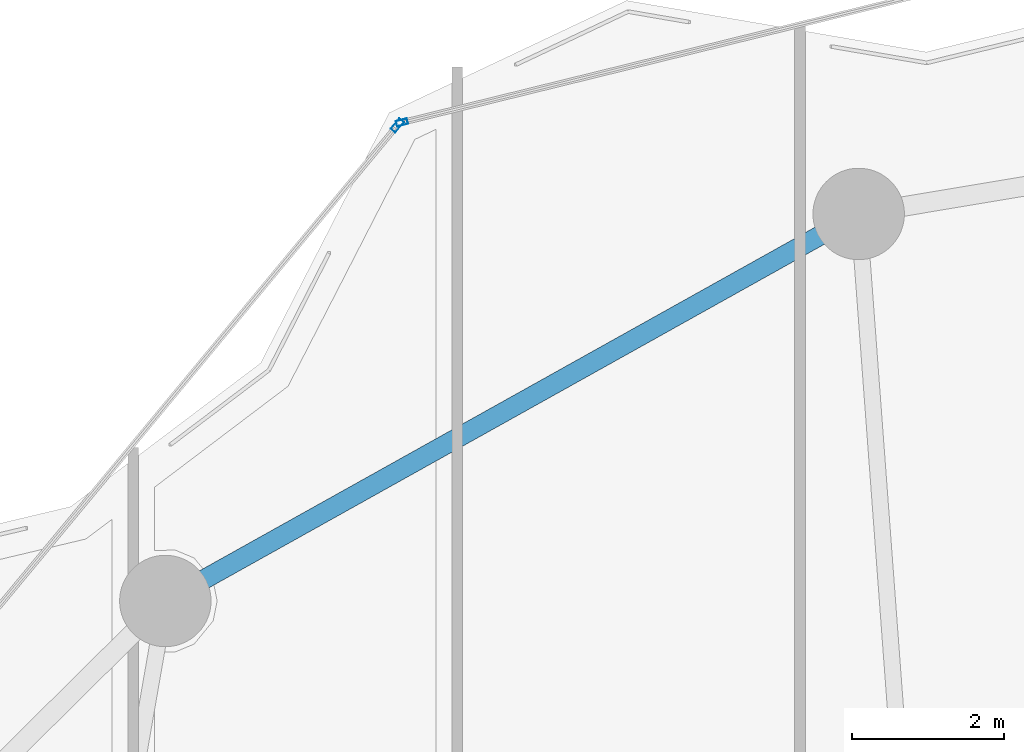
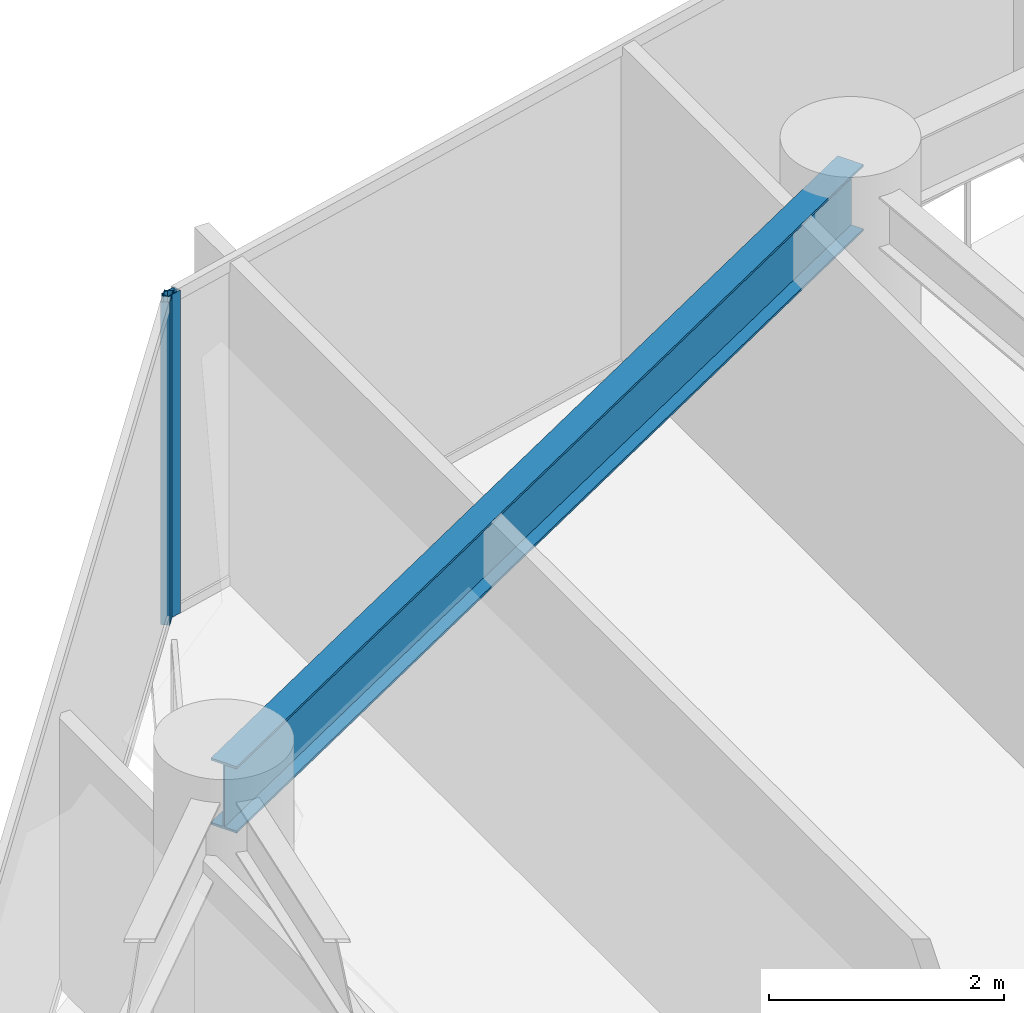
# One storey, part 17 of 28: 2 members, 1 beam, 2 elements without a shape of their own.
"""IFC4 building model written with IfcOpenShell, lengths in metres."""

from ifc_helpers import new_model, si_unit, direction, frame, origin, origin_2d, place, context, subcontext, project, spatial, hollow_rectangle, i_section, extrude, material, layer, layer_set, material_profile, profile_set, type_object, element, aggregate, save


model = new_model("IFC4")

# Units and contexts
model_context = context("Model", 3, precision=1e-05, world=origin(), true_north=direction((0.0, 1.0)))
body_context = subcontext(model_context, "Body", "Model", "MODEL_VIEW")
ifc_project = project(units=[si_unit("LENGTHUNIT", "METRE"), si_unit("AREAUNIT", "SQUARE_METRE"), si_unit("VOLUMEUNIT", "CUBIC_METRE"), si_unit("PLANEANGLEUNIT", "RADIAN"), si_unit("MASSUNIT", "GRAM", prefix="KILO")], contexts=[model_context])

# Site, building, storey
site_placement = place(None, origin())
site = spatial("IfcSite", under=ifc_project, at=site_placement, CompositionType="ELEMENT")
building_placement = place(site_placement, origin())
building = spatial("IfcBuilding", under=site, at=building_placement, Name="Kazevale Care Tower and Concert Hall", CompositionType="ELEMENT")
storey_placement = place(building_placement, frame((0.0, 0.0, 102.60009765625)))
storey = spatial("IfcBuildingStorey", under=building, at=storey_placement, Name="L26", CompositionType="ELEMENT", Elevation=102.60009765625)

# Curtain wall, member
ifc_material_1 = material(Name="Aluminium 6063-T6 and Low-E Glass", Category="aluminium")
ifc_layer_1 = layer(ifc_material_1, 0.179931640625)
ifc_layer_set_1 = layer_set([ifc_layer_1], Name="Aluminium 6063-T6 and Low-E Glass")
curtain_wall_type_1 = type_object("IfcCurtainWallType", Name="Convex Checkerboard Finned Curtain Wall CW-2", PredefinedType="NOTDEFINED", material=ifc_layer_set_1)
curtain_wall_1_placement = place(storey_placement, origin())
curtain_wall_1 = element("IfcCurtainWall", 1, at=curtain_wall_1_placement, inside=storey, type_object=curtain_wall_type_1, Name="cw:L26:f14", PredefinedType="NOTDEFINED")
ifc_material_2 = material(Name="Aluminium 6063-T6", Category="aluminium")
ifc_material_profile_1 = material_profile(ifc_material_2, hollow_rectangle(XDim=0.080078125, YDim=0.179931640625, WallThickness=0.0048828125, at=origin_2d()), Name="ALU80x180x5")
ifc_profile_set_1 = profile_set([ifc_material_profile_1], Name="Aluminium 6063-T6")
member_type_1 = type_object("IfcMemberType", Name="CW-2 Mullion ALU80x180x5", PredefinedType="MULLION", material=ifc_profile_set_1)
member_1_placement = place(storey_placement, frame((28.214599609375, 60.8212890625, 0.0), z_axis=(0.0, 0.0, 1.0), x_axis=(-0.770049579196, 0.637984048061, 0.0)))
member_1 = element("IfcMember", 2, at=member_1_placement, type_object=member_type_1, Name="CW-2 mullion 2", PredefinedType="MULLION", context=body_context, shape_type="SweptSolid", body=[
    extrude(hollow_rectangle(XDim=0.080078125, YDim=0.179931640625, WallThickness=0.0048828125, at=origin_2d()), origin(), (0.0, 0.0, 1.0), 3.35986328125),
])
aggregate(curtain_wall_1, [member_1])

ifc_layer_2 = layer(ifc_material_1, 0.179931640625)
ifc_layer_set_2 = layer_set([ifc_layer_2], Name="Aluminium 6063-T6 and Low-E Glass")
curtain_wall_type_2 = type_object("IfcCurtainWallType", Name="Convex Recessed Sunroom Curtain Wall CW-3", PredefinedType="NOTDEFINED", material=ifc_layer_set_2)
curtain_wall_2_placement = place(storey_placement, origin())
curtain_wall_2 = element("IfcCurtainWall", 3, at=curtain_wall_2_placement, inside=storey, type_object=curtain_wall_type_2, Name="cw:L26:f15", PredefinedType="NOTDEFINED")
ifc_material_profile_2 = material_profile(ifc_material_2, hollow_rectangle(XDim=0.074951171875, YDim=0.14990234375, WallThickness=0.00390625, at=origin_2d()), Name="ALU75x150x4")
ifc_profile_set_2 = profile_set([ifc_material_profile_2], Name="Aluminium 6063-T6")
member_type_2 = type_object("IfcMemberType", Name="CW-3 Mullion ALU75x150x4", PredefinedType="MULLION", material=ifc_profile_set_2)
member_2_placement = place(storey_placement, frame((28.2763671875, 60.861083984375, 0.0), z_axis=(0.0, 0.0, 1.0), x_axis=(-0.239088999495, 0.970997657217, 0.0)))
member_2 = element("IfcMember", 4, at=member_2_placement, type_object=member_type_2, Name="CW-3 mullion 1", PredefinedType="MULLION", context=body_context, shape_type="SweptSolid", body=[
    extrude(hollow_rectangle(XDim=0.074951171875, YDim=0.14990234375, WallThickness=0.00390625, at=origin_2d()), origin(), (0.0, 0.0, 1.0), 3.35986328125),
])
aggregate(curtain_wall_2, [member_2])

# Beam
ifc_material_3 = material(Name="Steel ASTM A572 Gr 50", Category="steel")
ifc_material_profile_3 = material_profile(ifc_material_3, i_section(OverallWidth=0.256103515625, OverallDepth=0.693115234375, WebThickness=0.014404296875, FlangeThickness=0.023681640625, at=origin_2d()), Name="W690x170")
ifc_profile_set_3 = profile_set([ifc_material_profile_3], Name="Steel ASTM A572 Gr 50")
beam_type = type_object("IfcBeamType", Name="Waist Ring Beam W690x170", PredefinedType="BEAM", material=ifc_profile_set_3)
beam_placement = place(storey_placement, frame((34.27001953125, 59.659912109375, 3.013427734375), z_axis=(-0.873168720251, -0.487418081297, 0.0), x_axis=(0.487418081297, -0.873168720251, 0.0)))
element("IfcBeam", 5, at=beam_placement, inside=storey, type_object=beam_type, Name="beam:L26:ring:06", PredefinedType="BEAM", context=body_context, shape_type="SweptSolid", body=[
    extrude(i_section(OverallWidth=0.256103515625, OverallDepth=0.693115234375, WebThickness=0.014404296875, FlangeThickness=0.023681640625, at=origin_2d()), origin(), (0.0, 0.0, 1.0), 10.421875),
])

save(model, "model.ifc")
